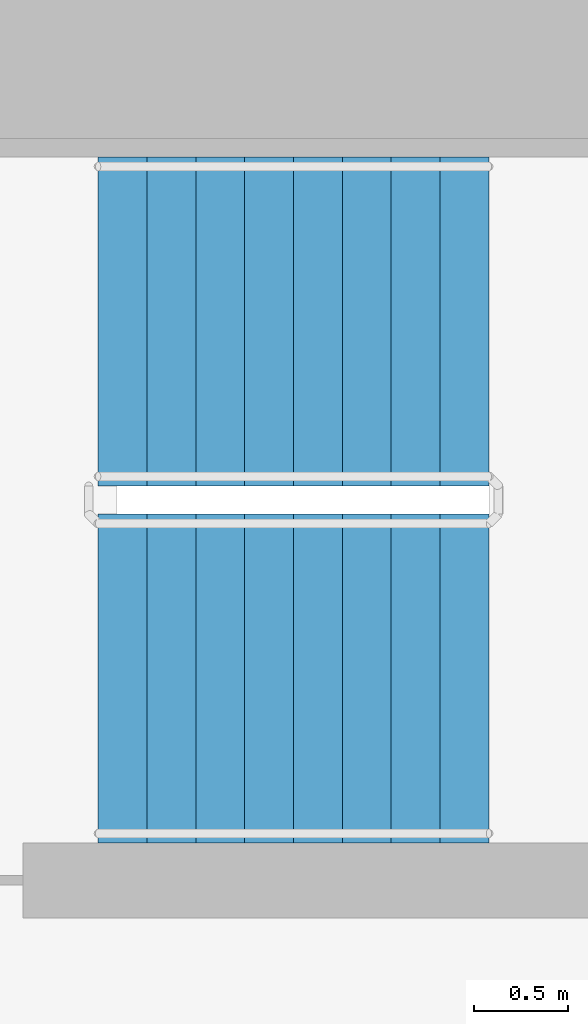
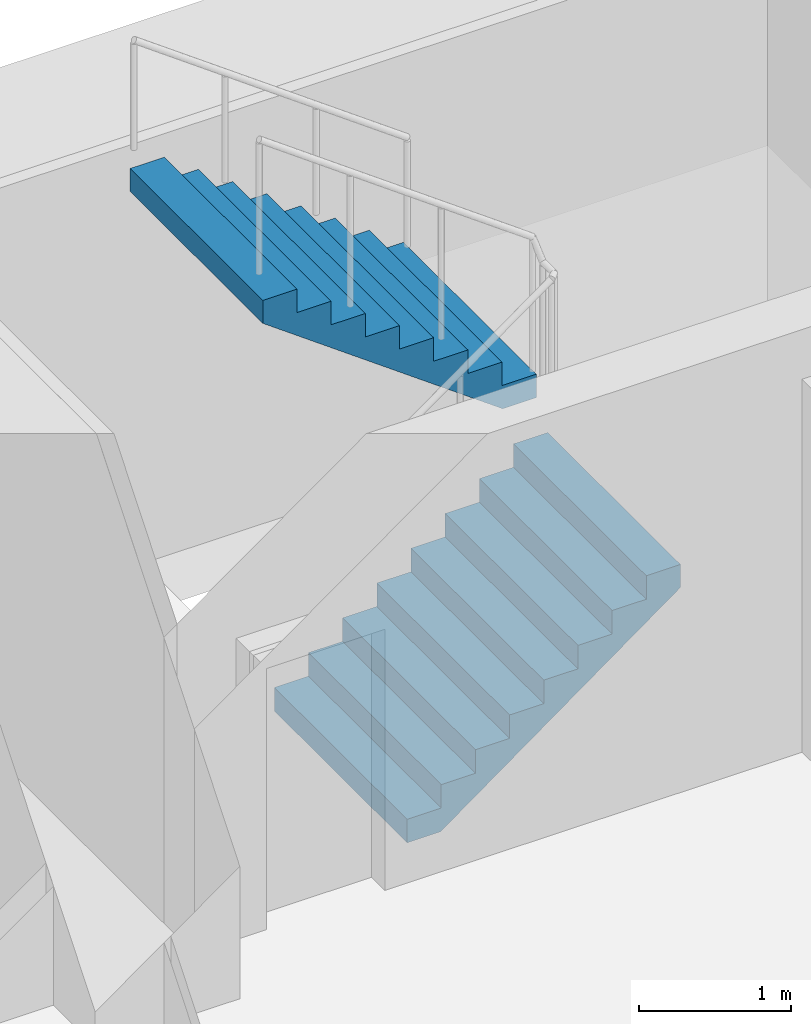
# One storey, part 18 of 22: 2 stair flights, 1 element without a shape of its own.
"""IFC4 building model written with IfcOpenShell, lengths in metres."""

from ifc_helpers import new_model, si_unit, direction, frame, origin, place, context, subcontext, project, spatial, faceted_brep, material, type_object, element, aggregate, save


model = new_model("IFC4")

# Units and contexts
model_context = context("Model", 3, precision=1e-05, world=origin(), true_north=direction((0.0, 1.0)))
body_context = subcontext(model_context, "Body", "Model", "MODEL_VIEW")
ifc_project = project(units=[si_unit("LENGTHUNIT", "METRE"), si_unit("AREAUNIT", "SQUARE_METRE"), si_unit("VOLUMEUNIT", "CUBIC_METRE"), si_unit("PLANEANGLEUNIT", "RADIAN"), si_unit("MASSUNIT", "GRAM", prefix="KILO")], contexts=[model_context])

# Site, building, storey
site_placement = place(None, origin())
site = spatial("IfcSite", under=ifc_project, at=site_placement, CompositionType="ELEMENT")
building_placement = place(site_placement, origin())
building = spatial("IfcBuilding", under=site, at=building_placement, Name="Ipe Terrace Towers", CompositionType="ELEMENT")
storey_placement = place(building_placement, frame((0.0, 0.0, 55.10009765625)))
storey = spatial("IfcBuildingStorey", under=building, at=storey_placement, Name="L14", CompositionType="ELEMENT", Elevation=55.10009765625)

# Stair, stair flights
ifc_material_1 = material(Name="Concrete C30/37", Category="concrete")
stair_type = type_object("IfcStairType", Name="Protected exit stair", PredefinedType="HALF_TURN_STAIR", material=ifc_material_1)
stair_placement = place(storey_placement, origin())
stair = element("IfcStair", 1, at=stair_placement, inside=storey, type_object=stair_type, Name="L14 Exit stair T1-C1", PredefinedType="HALF_TURN_STAIR")
ifc_material_2 = material(Name="Concrete C30/37", Category="concrete")
stair_flight_type = type_object("IfcStairFlightType", Name="Exit stair flight 1750", PredefinedType="STRAIGHT", material=ifc_material_2)
stair_flight_1_placement = place(storey_placement, frame((-26.300048828125, 2.77490234375, 0.0), z_axis=(0.0, 0.0, 1.0), x_axis=(1.0, 0.0, 0.0)))
stair_flight_1 = element("IfcStairFlight", 2, at=stair_flight_1_placement, type_object=stair_flight_type, Name="T1-ST1 flight 1", NumberOfRisers=9, NumberOfTreads=8, PredefinedType="STRAIGHT", RiserHeight=0.188888889, TreadLength=0.26, context=body_context, shape_type="Brep", body=[
    faceted_brep([(0.255126953125, -0.875, 0.0), (2.080078125, -0.875, 1.325927734375), (2.080078125, -0.875, 1.51123046875), (1.820068359375, -0.875, 1.51123046875), (1.820068359375, -0.875, 1.322265625), (1.56005859375, -0.875, 1.322265625), (1.56005859375, -0.875, 1.13330078125), (1.300048828125, -0.875, 1.13330078125), (1.300048828125, -0.875, 0.9443359375), (1.0400390625, -0.875, 0.9443359375), (1.0400390625, -0.875, 0.755615234375), (0.780029296875, -0.875, 0.755615234375), (0.780029296875, -0.875, 0.566650390625), (0.52001953125, -0.875, 0.566650390625), (0.52001953125, -0.875, 0.377685546875), (0.260009765625, -0.875, 0.377685546875), (0.260009765625, -0.875, 0.18896484375), (0.0, -0.875, 0.18896484375), (0.0, -0.875, 0.0), (0.0, 0.875, 0.0), (0.0, 0.875, 0.18896484375), (0.260009765625, 0.875, 0.18896484375), (0.260009765625, 0.875, 0.377685546875), (0.52001953125, 0.875, 0.377685546875), (0.52001953125, 0.875, 0.566650390625), (0.780029296875, 0.875, 0.566650390625), (0.780029296875, 0.875, 0.755615234375), (1.0400390625, 0.875, 0.755615234375), (1.0400390625, 0.875, 0.9443359375), (1.300048828125, 0.875, 0.9443359375), (1.300048828125, 0.875, 1.13330078125), (1.56005859375, 0.875, 1.13330078125), (1.56005859375, 0.875, 1.322265625), (1.820068359375, 0.875, 1.322265625), (1.820068359375, 0.875, 1.51123046875), (2.080078125, 0.875, 1.51123046875), (2.080078125, 0.875, 1.325927734375), (0.255126953125, 0.875, 0.0), (0.0, -0.300048828125, 0.18896484375), (0.0, -0.1201171875, 0.18896484375), (0.0, -0.06005859375, 0.18896484375), (0.0, -0.030029296875, 0.18896484375), (0.0, -0.010009765625, 0.18896484375), (0.0, 0.0, 0.18896484375), (0.0, 0.010009765625, 0.18896484375), (0.0, 0.030029296875, 0.18896484375), (0.0, 0.06005859375, 0.18896484375), (0.0, 0.1201171875, 0.18896484375), (0.0, 0.300048828125, 0.18896484375), (0.0, 0.300048828125, 0.0), (0.0, 0.1201171875, 0.0), (0.0, 0.06005859375, 0.0), (0.0, 0.030029296875, 0.0), (0.0, 0.010009765625, 0.0), (0.0, 0.0, 0.0), (0.0, -0.010009765625, 0.0), (0.0, -0.030029296875, 0.0), (0.0, -0.06005859375, 0.0), (0.0, -0.1201171875, 0.0), (0.0, -0.300048828125, 0.0), (0.260009765625, -0.300048828125, 0.18896484375), (0.260009765625, -0.1201171875, 0.18896484375), (0.260009765625, -0.06005859375, 0.18896484375), (0.260009765625, -0.030029296875, 0.18896484375), (0.260009765625, -0.010009765625, 0.18896484375), (0.260009765625, 0.0, 0.18896484375), (0.260009765625, 0.010009765625, 0.18896484375), (0.260009765625, 0.030029296875, 0.18896484375), (0.260009765625, 0.06005859375, 0.18896484375), (0.260009765625, 0.1201171875, 0.18896484375), (0.260009765625, 0.300048828125, 0.18896484375), (0.260009765625, -0.300048828125, 0.377685546875), (0.260009765625, -0.1201171875, 0.377685546875), (0.260009765625, -0.06005859375, 0.377685546875), (0.260009765625, -0.030029296875, 0.377685546875), (0.260009765625, -0.010009765625, 0.377685546875), (0.260009765625, 0.0, 0.377685546875), (0.260009765625, 0.010009765625, 0.377685546875), (0.260009765625, 0.030029296875, 0.377685546875), (0.260009765625, 0.06005859375, 0.377685546875), (0.260009765625, 0.1201171875, 0.377685546875), (0.260009765625, 0.300048828125, 0.377685546875), (0.52001953125, -0.300048828125, 0.377685546875), (0.52001953125, -0.1201171875, 0.377685546875), (0.52001953125, -0.06005859375, 0.377685546875), (0.52001953125, -0.030029296875, 0.377685546875), (0.52001953125, -0.010009765625, 0.377685546875), (0.52001953125, 0.0, 0.377685546875), (0.52001953125, 0.010009765625, 0.377685546875), (0.52001953125, 0.030029296875, 0.377685546875), (0.52001953125, 0.06005859375, 0.377685546875), (0.52001953125, 0.1201171875, 0.377685546875), (0.52001953125, 0.300048828125, 0.377685546875), (0.52001953125, -0.300048828125, 0.566650390625), (0.52001953125, -0.1201171875, 0.566650390625), (0.52001953125, -0.06005859375, 0.566650390625), (0.52001953125, -0.030029296875, 0.566650390625), (0.52001953125, -0.010009765625, 0.566650390625), (0.52001953125, 0.0, 0.566650390625), (0.52001953125, 0.010009765625, 0.566650390625), (0.52001953125, 0.030029296875, 0.566650390625), (0.52001953125, 0.06005859375, 0.566650390625), (0.52001953125, 0.1201171875, 0.566650390625), (0.52001953125, 0.300048828125, 0.566650390625), (0.780029296875, -0.300048828125, 0.566650390625), (0.780029296875, -0.1201171875, 0.566650390625), (0.780029296875, -0.06005859375, 0.566650390625), (0.780029296875, -0.030029296875, 0.566650390625), (0.780029296875, -0.010009765625, 0.566650390625), (0.780029296875, 0.0, 0.566650390625), (0.780029296875, 0.010009765625, 0.566650390625), (0.780029296875, 0.030029296875, 0.566650390625), (0.780029296875, 0.06005859375, 0.566650390625), (0.780029296875, 0.1201171875, 0.566650390625), (0.780029296875, 0.300048828125, 0.566650390625), (0.780029296875, -0.300048828125, 0.755615234375), (0.780029296875, -0.1201171875, 0.755615234375), (0.780029296875, -0.06005859375, 0.755615234375), (0.780029296875, -0.030029296875, 0.755615234375), (0.780029296875, -0.010009765625, 0.755615234375), (0.780029296875, 0.0, 0.755615234375), (0.780029296875, 0.010009765625, 0.755615234375), (0.780029296875, 0.030029296875, 0.755615234375), (0.780029296875, 0.06005859375, 0.755615234375), (0.780029296875, 0.1201171875, 0.755615234375), (0.780029296875, 0.300048828125, 0.755615234375), (1.0400390625, -0.300048828125, 0.755615234375), (1.0400390625, -0.1201171875, 0.755615234375), (1.0400390625, -0.06005859375, 0.755615234375), (1.0400390625, -0.030029296875, 0.755615234375), (1.0400390625, -0.010009765625, 0.755615234375), (1.0400390625, 0.0, 0.755615234375), (1.0400390625, 0.010009765625, 0.755615234375), (1.0400390625, 0.030029296875, 0.755615234375), (1.0400390625, 0.06005859375, 0.755615234375), (1.0400390625, 0.1201171875, 0.755615234375), (1.0400390625, 0.300048828125, 0.755615234375), (1.0400390625, -0.300048828125, 0.9443359375), (1.0400390625, -0.1201171875, 0.9443359375), (1.0400390625, -0.06005859375, 0.9443359375), (1.0400390625, -0.030029296875, 0.9443359375), (1.0400390625, -0.010009765625, 0.9443359375), (1.0400390625, 0.0, 0.9443359375), (1.0400390625, 0.010009765625, 0.9443359375), (1.0400390625, 0.030029296875, 0.9443359375), (1.0400390625, 0.06005859375, 0.9443359375), (1.0400390625, 0.1201171875, 0.9443359375), (1.0400390625, 0.300048828125, 0.9443359375), (1.300048828125, -0.300048828125, 0.9443359375), (1.300048828125, -0.1201171875, 0.9443359375), (1.300048828125, -0.06005859375, 0.9443359375), (1.300048828125, -0.030029296875, 0.9443359375), (1.300048828125, -0.010009765625, 0.9443359375), (1.300048828125, 0.0, 0.9443359375), (1.300048828125, 0.010009765625, 0.9443359375), (1.300048828125, 0.030029296875, 0.9443359375), (1.300048828125, 0.06005859375, 0.9443359375), (1.300048828125, 0.1201171875, 0.9443359375), (1.300048828125, 0.300048828125, 0.9443359375), (1.300048828125, -0.300048828125, 1.13330078125), (1.300048828125, -0.1201171875, 1.13330078125), (1.300048828125, -0.06005859375, 1.13330078125), (1.300048828125, -0.030029296875, 1.13330078125), (1.300048828125, -0.010009765625, 1.13330078125), (1.300048828125, 0.0, 1.13330078125), (1.300048828125, 0.010009765625, 1.13330078125), (1.300048828125, 0.030029296875, 1.13330078125), (1.300048828125, 0.06005859375, 1.13330078125), (1.300048828125, 0.1201171875, 1.13330078125), (1.300048828125, 0.300048828125, 1.13330078125), (1.56005859375, -0.300048828125, 1.13330078125), (1.56005859375, -0.1201171875, 1.13330078125), (1.56005859375, -0.06005859375, 1.13330078125), (1.56005859375, -0.030029296875, 1.13330078125), (1.56005859375, -0.010009765625, 1.13330078125), (1.56005859375, 0.0, 1.13330078125), (1.56005859375, 0.010009765625, 1.13330078125), (1.56005859375, 0.030029296875, 1.13330078125), (1.56005859375, 0.06005859375, 1.13330078125), (1.56005859375, 0.1201171875, 1.13330078125), (1.56005859375, 0.300048828125, 1.13330078125), (1.56005859375, -0.300048828125, 1.322265625), (1.56005859375, -0.1201171875, 1.322265625), (1.56005859375, -0.06005859375, 1.322265625), (1.56005859375, -0.030029296875, 1.322265625), (1.56005859375, -0.010009765625, 1.322265625), (1.56005859375, 0.0, 1.322265625), (1.56005859375, 0.010009765625, 1.322265625), (1.56005859375, 0.030029296875, 1.322265625), (1.56005859375, 0.06005859375, 1.322265625), (1.56005859375, 0.1201171875, 1.322265625), (1.56005859375, 0.300048828125, 1.322265625), (1.820068359375, -0.300048828125, 1.322265625), (1.820068359375, -0.1201171875, 1.322265625), (1.820068359375, -0.06005859375, 1.322265625), (1.820068359375, -0.030029296875, 1.322265625), (1.820068359375, -0.010009765625, 1.322265625), (1.820068359375, 0.0, 1.322265625), (1.820068359375, 0.010009765625, 1.322265625), (1.820068359375, 0.030029296875, 1.322265625), (1.820068359375, 0.06005859375, 1.322265625), (1.820068359375, 0.1201171875, 1.322265625), (1.820068359375, 0.300048828125, 1.322265625), (1.820068359375, -0.300048828125, 1.51123046875), (1.820068359375, -0.1201171875, 1.51123046875), (1.820068359375, -0.06005859375, 1.51123046875), (1.820068359375, -0.030029296875, 1.51123046875), (1.820068359375, -0.010009765625, 1.51123046875), (1.820068359375, 0.0, 1.51123046875), (1.820068359375, 0.010009765625, 1.51123046875), (1.820068359375, 0.030029296875, 1.51123046875), (1.820068359375, 0.06005859375, 1.51123046875), (1.820068359375, 0.1201171875, 1.51123046875), (1.820068359375, 0.300048828125, 1.51123046875), (2.080078125, -0.300048828125, 1.51123046875), (2.080078125, -0.1201171875, 1.51123046875), (2.080078125, -0.06005859375, 1.51123046875), (2.080078125, -0.030029296875, 1.51123046875), (2.080078125, -0.010009765625, 1.51123046875), (2.080078125, 0.0, 1.51123046875), (2.080078125, 0.010009765625, 1.51123046875), (2.080078125, 0.030029296875, 1.51123046875), (2.080078125, 0.06005859375, 1.51123046875), (2.080078125, 0.1201171875, 1.51123046875), (2.080078125, 0.300048828125, 1.51123046875), (2.080078125, -0.300048828125, 1.325927734375), (2.080078125, -0.1201171875, 1.325927734375), (2.080078125, -0.06005859375, 1.325927734375), (2.080078125, -0.030029296875, 1.325927734375), (2.080078125, -0.010009765625, 1.325927734375), (2.080078125, 0.0, 1.325927734375), (2.080078125, 0.010009765625, 1.325927734375), (2.080078125, 0.030029296875, 1.325927734375), (2.080078125, 0.06005859375, 1.325927734375), (2.080078125, 0.1201171875, 1.325927734375), (2.080078125, 0.300048828125, 1.325927734375), (0.255126953125, -0.300048828125, 0.0), (0.255126953125, -0.1201171875, 0.0), (0.255126953125, -0.06005859375, 0.0), (0.255126953125, -0.030029296875, 0.0), (0.255126953125, -0.010009765625, 0.0), (0.255126953125, 0.0, 0.0), (0.255126953125, 0.010009765625, 0.0), (0.255126953125, 0.030029296875, 0.0), (0.255126953125, 0.06005859375, 0.0), (0.255126953125, 0.1201171875, 0.0), (0.255126953125, 0.300048828125, 0.0)], [[[0, 1, 2, 3, 4, 5, 6, 7, 8, 9, 10, 11, 12, 13, 14, 15, 16, 17, 18]], [[19, 20, 21, 22, 23, 24, 25, 26, 27, 28, 29, 30, 31, 32, 33, 34, 35, 36, 37]], [[17, 38, 39, 40, 41, 42, 43, 44, 45, 46, 47, 48, 20, 19, 49, 50, 51, 52, 53, 54, 55, 56, 57, 58, 59, 18]], [[16, 60, 61, 62, 63, 64, 65, 66, 67, 68, 69, 70, 21, 20, 48, 47, 46, 45, 44, 43, 42, 41, 40, 39, 38, 17]], [[15, 71, 72, 73, 74, 75, 76, 77, 78, 79, 80, 81, 22, 21, 70, 69, 68, 67, 66, 65, 64, 63, 62, 61, 60, 16]], [[14, 82, 83, 84, 85, 86, 87, 88, 89, 90, 91, 92, 23, 22, 81, 80, 79, 78, 77, 76, 75, 74, 73, 72, 71, 15]], [[13, 93, 94, 95, 96, 97, 98, 99, 100, 101, 102, 103, 24, 23, 92, 91, 90, 89, 88, 87, 86, 85, 84, 83, 82, 14]], [[12, 104, 105, 106, 107, 108, 109, 110, 111, 112, 113, 114, 25, 24, 103, 102, 101, 100, 99, 98, 97, 96, 95, 94, 93, 13]], [[11, 115, 116, 117, 118, 119, 120, 121, 122, 123, 124, 125, 26, 25, 114, 113, 112, 111, 110, 109, 108, 107, 106, 105, 104, 12]], [[10, 126, 127, 128, 129, 130, 131, 132, 133, 134, 135, 136, 27, 26, 125, 124, 123, 122, 121, 120, 119, 118, 117, 116, 115, 11]], [[9, 137, 138, 139, 140, 141, 142, 143, 144, 145, 146, 147, 28, 27, 136, 135, 134, 133, 132, 131, 130, 129, 128, 127, 126, 10]], [[8, 148, 149, 150, 151, 152, 153, 154, 155, 156, 157, 158, 29, 28, 147, 146, 145, 144, 143, 142, 141, 140, 139, 138, 137, 9]], [[7, 159, 160, 161, 162, 163, 164, 165, 166, 167, 168, 169, 30, 29, 158, 157, 156, 155, 154, 153, 152, 151, 150, 149, 148, 8]], [[6, 170, 171, 172, 173, 174, 175, 176, 177, 178, 179, 180, 31, 30, 169, 168, 167, 166, 165, 164, 163, 162, 161, 160, 159, 7]], [[5, 181, 182, 183, 184, 185, 186, 187, 188, 189, 190, 191, 32, 31, 180, 179, 178, 177, 176, 175, 174, 173, 172, 171, 170, 6]], [[4, 192, 193, 194, 195, 196, 197, 198, 199, 200, 201, 202, 33, 32, 191, 190, 189, 188, 187, 186, 185, 184, 183, 182, 181, 5]], [[3, 203, 204, 205, 206, 207, 208, 209, 210, 211, 212, 213, 34, 33, 202, 201, 200, 199, 198, 197, 196, 195, 194, 193, 192, 4]], [[2, 214, 215, 216, 217, 218, 219, 220, 221, 222, 223, 224, 35, 34, 213, 212, 211, 210, 209, 208, 207, 206, 205, 204, 203, 3]], [[1, 225, 226, 227, 228, 229, 230, 231, 232, 233, 234, 235, 36, 35, 224, 223, 222, 221, 220, 219, 218, 217, 216, 215, 214, 2]], [[0, 236, 237, 238, 239, 240, 241, 242, 243, 244, 245, 246, 37, 36, 235, 234, 233, 232, 231, 230, 229, 228, 227, 226, 225, 1]], [[18, 59, 58, 57, 56, 55, 54, 53, 52, 51, 50, 49, 19, 37, 246, 245, 244, 243, 242, 241, 240, 239, 238, 237, 236, 0]]]),
])
stair_flight_2_placement = place(storey_placement, frame((-24.219970703125, 4.675048828125, 1.699951171875), z_axis=(0.0, 0.0, 1.0), x_axis=(-1.0, 0.0, 0.0)))
stair_flight_2 = element("IfcStairFlight", 3, at=stair_flight_2_placement, type_object=stair_flight_type, Name="T1-ST1 flight 2", NumberOfRisers=9, NumberOfTreads=8, PredefinedType="STRAIGHT", RiserHeight=0.188888889, TreadLength=0.26, context=body_context, shape_type="Brep", body=[
    faceted_brep([(0.255126953125, -0.875, 0.0), (2.080078125, -0.875, 1.325927734375), (2.080078125, -0.875, 1.51123046875), (1.820068359375, -0.875, 1.51123046875), (1.820068359375, -0.875, 1.322265625), (1.56005859375, -0.875, 1.322265625), (1.56005859375, -0.875, 1.13330078125), (1.300048828125, -0.875, 1.13330078125), (1.300048828125, -0.875, 0.9443359375), (1.0400390625, -0.875, 0.9443359375), (1.0400390625, -0.875, 0.755615234375), (0.780029296875, -0.875, 0.755615234375), (0.780029296875, -0.875, 0.566650390625), (0.52001953125, -0.875, 0.566650390625), (0.52001953125, -0.875, 0.377685546875), (0.260009765625, -0.875, 0.377685546875), (0.260009765625, -0.875, 0.18896484375), (0.0, -0.875, 0.18896484375), (0.0, -0.875, 0.0), (0.0, 0.875, 0.0), (0.0, 0.875, 0.18896484375), (0.260009765625, 0.875, 0.18896484375), (0.260009765625, 0.875, 0.377685546875), (0.52001953125, 0.875, 0.377685546875), (0.52001953125, 0.875, 0.566650390625), (0.780029296875, 0.875, 0.566650390625), (0.780029296875, 0.875, 0.755615234375), (1.0400390625, 0.875, 0.755615234375), (1.0400390625, 0.875, 0.9443359375), (1.300048828125, 0.875, 0.9443359375), (1.300048828125, 0.875, 1.13330078125), (1.56005859375, 0.875, 1.13330078125), (1.56005859375, 0.875, 1.322265625), (1.820068359375, 0.875, 1.322265625), (1.820068359375, 0.875, 1.51123046875), (2.080078125, 0.875, 1.51123046875), (2.080078125, 0.875, 1.325927734375), (0.255126953125, 0.875, 0.0), (0.0, -0.300048828125, 0.18896484375), (0.0, -0.1201171875, 0.18896484375), (0.0, -0.06005859375, 0.18896484375), (0.0, -0.030029296875, 0.18896484375), (0.0, -0.010009765625, 0.18896484375), (0.0, 0.0, 0.18896484375), (0.0, 0.010009765625, 0.18896484375), (0.0, 0.030029296875, 0.18896484375), (0.0, 0.06005859375, 0.18896484375), (0.0, 0.1201171875, 0.18896484375), (0.0, 0.300048828125, 0.18896484375), (0.0, 0.300048828125, 0.0), (0.0, 0.1201171875, 0.0), (0.0, 0.06005859375, 0.0), (0.0, 0.030029296875, 0.0), (0.0, 0.010009765625, 0.0), (0.0, 0.0, 0.0), (0.0, -0.010009765625, 0.0), (0.0, -0.030029296875, 0.0), (0.0, -0.06005859375, 0.0), (0.0, -0.1201171875, 0.0), (0.0, -0.300048828125, 0.0), (0.260009765625, -0.300048828125, 0.18896484375), (0.260009765625, -0.1201171875, 0.18896484375), (0.260009765625, -0.06005859375, 0.18896484375), (0.260009765625, -0.030029296875, 0.18896484375), (0.260009765625, -0.010009765625, 0.18896484375), (0.260009765625, 0.0, 0.18896484375), (0.260009765625, 0.010009765625, 0.18896484375), (0.260009765625, 0.030029296875, 0.18896484375), (0.260009765625, 0.06005859375, 0.18896484375), (0.260009765625, 0.1201171875, 0.18896484375), (0.260009765625, 0.300048828125, 0.18896484375), (0.260009765625, -0.300048828125, 0.377685546875), (0.260009765625, -0.1201171875, 0.377685546875), (0.260009765625, -0.06005859375, 0.377685546875), (0.260009765625, -0.030029296875, 0.377685546875), (0.260009765625, -0.010009765625, 0.377685546875), (0.260009765625, 0.0, 0.377685546875), (0.260009765625, 0.010009765625, 0.377685546875), (0.260009765625, 0.030029296875, 0.377685546875), (0.260009765625, 0.06005859375, 0.377685546875), (0.260009765625, 0.1201171875, 0.377685546875), (0.260009765625, 0.300048828125, 0.377685546875), (0.52001953125, -0.300048828125, 0.377685546875), (0.52001953125, -0.1201171875, 0.377685546875), (0.52001953125, -0.06005859375, 0.377685546875), (0.52001953125, -0.030029296875, 0.377685546875), (0.52001953125, -0.010009765625, 0.377685546875), (0.52001953125, 0.0, 0.377685546875), (0.52001953125, 0.010009765625, 0.377685546875), (0.52001953125, 0.030029296875, 0.377685546875), (0.52001953125, 0.06005859375, 0.377685546875), (0.52001953125, 0.1201171875, 0.377685546875), (0.52001953125, 0.300048828125, 0.377685546875), (0.52001953125, -0.300048828125, 0.566650390625), (0.52001953125, -0.1201171875, 0.566650390625), (0.52001953125, -0.06005859375, 0.566650390625), (0.52001953125, -0.030029296875, 0.566650390625), (0.52001953125, -0.010009765625, 0.566650390625), (0.52001953125, 0.0, 0.566650390625), (0.52001953125, 0.010009765625, 0.566650390625), (0.52001953125, 0.030029296875, 0.566650390625), (0.52001953125, 0.06005859375, 0.566650390625), (0.52001953125, 0.1201171875, 0.566650390625), (0.52001953125, 0.300048828125, 0.566650390625), (0.780029296875, -0.300048828125, 0.566650390625), (0.780029296875, -0.1201171875, 0.566650390625), (0.780029296875, -0.06005859375, 0.566650390625), (0.780029296875, -0.030029296875, 0.566650390625), (0.780029296875, -0.010009765625, 0.566650390625), (0.780029296875, 0.0, 0.566650390625), (0.780029296875, 0.010009765625, 0.566650390625), (0.780029296875, 0.030029296875, 0.566650390625), (0.780029296875, 0.06005859375, 0.566650390625), (0.780029296875, 0.1201171875, 0.566650390625), (0.780029296875, 0.300048828125, 0.566650390625), (0.780029296875, -0.300048828125, 0.755615234375), (0.780029296875, -0.1201171875, 0.755615234375), (0.780029296875, -0.06005859375, 0.755615234375), (0.780029296875, -0.030029296875, 0.755615234375), (0.780029296875, -0.010009765625, 0.755615234375), (0.780029296875, 0.0, 0.755615234375), (0.780029296875, 0.010009765625, 0.755615234375), (0.780029296875, 0.030029296875, 0.755615234375), (0.780029296875, 0.06005859375, 0.755615234375), (0.780029296875, 0.1201171875, 0.755615234375), (0.780029296875, 0.300048828125, 0.755615234375), (1.0400390625, -0.300048828125, 0.755615234375), (1.0400390625, -0.1201171875, 0.755615234375), (1.0400390625, -0.06005859375, 0.755615234375), (1.0400390625, -0.030029296875, 0.755615234375), (1.0400390625, -0.010009765625, 0.755615234375), (1.0400390625, 0.0, 0.755615234375), (1.0400390625, 0.010009765625, 0.755615234375), (1.0400390625, 0.030029296875, 0.755615234375), (1.0400390625, 0.06005859375, 0.755615234375), (1.0400390625, 0.1201171875, 0.755615234375), (1.0400390625, 0.300048828125, 0.755615234375), (1.0400390625, -0.300048828125, 0.9443359375), (1.0400390625, -0.1201171875, 0.9443359375), (1.0400390625, -0.06005859375, 0.9443359375), (1.0400390625, -0.030029296875, 0.9443359375), (1.0400390625, -0.010009765625, 0.9443359375), (1.0400390625, 0.0, 0.9443359375), (1.0400390625, 0.010009765625, 0.9443359375), (1.0400390625, 0.030029296875, 0.9443359375), (1.0400390625, 0.06005859375, 0.9443359375), (1.0400390625, 0.1201171875, 0.9443359375), (1.0400390625, 0.300048828125, 0.9443359375), (1.300048828125, -0.300048828125, 0.9443359375), (1.300048828125, -0.1201171875, 0.9443359375), (1.300048828125, -0.06005859375, 0.9443359375), (1.300048828125, -0.030029296875, 0.9443359375), (1.300048828125, -0.010009765625, 0.9443359375), (1.300048828125, 0.0, 0.9443359375), (1.300048828125, 0.010009765625, 0.9443359375), (1.300048828125, 0.030029296875, 0.9443359375), (1.300048828125, 0.06005859375, 0.9443359375), (1.300048828125, 0.1201171875, 0.9443359375), (1.300048828125, 0.300048828125, 0.9443359375), (1.300048828125, -0.300048828125, 1.13330078125), (1.300048828125, -0.1201171875, 1.13330078125), (1.300048828125, -0.06005859375, 1.13330078125), (1.300048828125, -0.030029296875, 1.13330078125), (1.300048828125, -0.010009765625, 1.13330078125), (1.300048828125, 0.0, 1.13330078125), (1.300048828125, 0.010009765625, 1.13330078125), (1.300048828125, 0.030029296875, 1.13330078125), (1.300048828125, 0.06005859375, 1.13330078125), (1.300048828125, 0.1201171875, 1.13330078125), (1.300048828125, 0.300048828125, 1.13330078125), (1.56005859375, -0.300048828125, 1.13330078125), (1.56005859375, -0.1201171875, 1.13330078125), (1.56005859375, -0.06005859375, 1.13330078125), (1.56005859375, -0.030029296875, 1.13330078125), (1.56005859375, -0.010009765625, 1.13330078125), (1.56005859375, 0.0, 1.13330078125), (1.56005859375, 0.010009765625, 1.13330078125), (1.56005859375, 0.030029296875, 1.13330078125), (1.56005859375, 0.06005859375, 1.13330078125), (1.56005859375, 0.1201171875, 1.13330078125), (1.56005859375, 0.300048828125, 1.13330078125), (1.56005859375, -0.300048828125, 1.322265625), (1.56005859375, -0.1201171875, 1.322265625), (1.56005859375, -0.06005859375, 1.322265625), (1.56005859375, -0.030029296875, 1.322265625), (1.56005859375, -0.010009765625, 1.322265625), (1.56005859375, 0.0, 1.322265625), (1.56005859375, 0.010009765625, 1.322265625), (1.56005859375, 0.030029296875, 1.322265625), (1.56005859375, 0.06005859375, 1.322265625), (1.56005859375, 0.1201171875, 1.322265625), (1.56005859375, 0.300048828125, 1.322265625), (1.820068359375, -0.300048828125, 1.322265625), (1.820068359375, -0.1201171875, 1.322265625), (1.820068359375, -0.06005859375, 1.322265625), (1.820068359375, -0.030029296875, 1.322265625), (1.820068359375, -0.010009765625, 1.322265625), (1.820068359375, 0.0, 1.322265625), (1.820068359375, 0.010009765625, 1.322265625), (1.820068359375, 0.030029296875, 1.322265625), (1.820068359375, 0.06005859375, 1.322265625), (1.820068359375, 0.1201171875, 1.322265625), (1.820068359375, 0.300048828125, 1.322265625), (1.820068359375, -0.300048828125, 1.51123046875), (1.820068359375, -0.1201171875, 1.51123046875), (1.820068359375, -0.06005859375, 1.51123046875), (1.820068359375, -0.030029296875, 1.51123046875), (1.820068359375, -0.010009765625, 1.51123046875), (1.820068359375, 0.0, 1.51123046875), (1.820068359375, 0.010009765625, 1.51123046875), (1.820068359375, 0.030029296875, 1.51123046875), (1.820068359375, 0.06005859375, 1.51123046875), (1.820068359375, 0.1201171875, 1.51123046875), (1.820068359375, 0.300048828125, 1.51123046875), (2.080078125, -0.300048828125, 1.51123046875), (2.080078125, -0.1201171875, 1.51123046875), (2.080078125, -0.06005859375, 1.51123046875), (2.080078125, -0.030029296875, 1.51123046875), (2.080078125, -0.010009765625, 1.51123046875), (2.080078125, 0.0, 1.51123046875), (2.080078125, 0.010009765625, 1.51123046875), (2.080078125, 0.030029296875, 1.51123046875), (2.080078125, 0.06005859375, 1.51123046875), (2.080078125, 0.1201171875, 1.51123046875), (2.080078125, 0.300048828125, 1.51123046875), (2.080078125, -0.300048828125, 1.325927734375), (2.080078125, -0.1201171875, 1.325927734375), (2.080078125, -0.06005859375, 1.325927734375), (2.080078125, -0.030029296875, 1.325927734375), (2.080078125, -0.010009765625, 1.325927734375), (2.080078125, 0.0, 1.325927734375), (2.080078125, 0.010009765625, 1.325927734375), (2.080078125, 0.030029296875, 1.325927734375), (2.080078125, 0.06005859375, 1.325927734375), (2.080078125, 0.1201171875, 1.325927734375), (2.080078125, 0.300048828125, 1.325927734375), (0.255126953125, -0.300048828125, 0.0), (0.255126953125, -0.1201171875, 0.0), (0.255126953125, -0.06005859375, 0.0), (0.255126953125, -0.030029296875, 0.0), (0.255126953125, -0.010009765625, 0.0), (0.255126953125, 0.0, 0.0), (0.255126953125, 0.010009765625, 0.0), (0.255126953125, 0.030029296875, 0.0), (0.255126953125, 0.06005859375, 0.0), (0.255126953125, 0.1201171875, 0.0), (0.255126953125, 0.300048828125, 0.0)], [[[0, 1, 2, 3, 4, 5, 6, 7, 8, 9, 10, 11, 12, 13, 14, 15, 16, 17, 18]], [[19, 20, 21, 22, 23, 24, 25, 26, 27, 28, 29, 30, 31, 32, 33, 34, 35, 36, 37]], [[17, 38, 39, 40, 41, 42, 43, 44, 45, 46, 47, 48, 20, 19, 49, 50, 51, 52, 53, 54, 55, 56, 57, 58, 59, 18]], [[16, 60, 61, 62, 63, 64, 65, 66, 67, 68, 69, 70, 21, 20, 48, 47, 46, 45, 44, 43, 42, 41, 40, 39, 38, 17]], [[15, 71, 72, 73, 74, 75, 76, 77, 78, 79, 80, 81, 22, 21, 70, 69, 68, 67, 66, 65, 64, 63, 62, 61, 60, 16]], [[14, 82, 83, 84, 85, 86, 87, 88, 89, 90, 91, 92, 23, 22, 81, 80, 79, 78, 77, 76, 75, 74, 73, 72, 71, 15]], [[13, 93, 94, 95, 96, 97, 98, 99, 100, 101, 102, 103, 24, 23, 92, 91, 90, 89, 88, 87, 86, 85, 84, 83, 82, 14]], [[12, 104, 105, 106, 107, 108, 109, 110, 111, 112, 113, 114, 25, 24, 103, 102, 101, 100, 99, 98, 97, 96, 95, 94, 93, 13]], [[11, 115, 116, 117, 118, 119, 120, 121, 122, 123, 124, 125, 26, 25, 114, 113, 112, 111, 110, 109, 108, 107, 106, 105, 104, 12]], [[10, 126, 127, 128, 129, 130, 131, 132, 133, 134, 135, 136, 27, 26, 125, 124, 123, 122, 121, 120, 119, 118, 117, 116, 115, 11]], [[9, 137, 138, 139, 140, 141, 142, 143, 144, 145, 146, 147, 28, 27, 136, 135, 134, 133, 132, 131, 130, 129, 128, 127, 126, 10]], [[8, 148, 149, 150, 151, 152, 153, 154, 155, 156, 157, 158, 29, 28, 147, 146, 145, 144, 143, 142, 141, 140, 139, 138, 137, 9]], [[7, 159, 160, 161, 162, 163, 164, 165, 166, 167, 168, 169, 30, 29, 158, 157, 156, 155, 154, 153, 152, 151, 150, 149, 148, 8]], [[6, 170, 171, 172, 173, 174, 175, 176, 177, 178, 179, 180, 31, 30, 169, 168, 167, 166, 165, 164, 163, 162, 161, 160, 159, 7]], [[5, 181, 182, 183, 184, 185, 186, 187, 188, 189, 190, 191, 32, 31, 180, 179, 178, 177, 176, 175, 174, 173, 172, 171, 170, 6]], [[4, 192, 193, 194, 195, 196, 197, 198, 199, 200, 201, 202, 33, 32, 191, 190, 189, 188, 187, 186, 185, 184, 183, 182, 181, 5]], [[3, 203, 204, 205, 206, 207, 208, 209, 210, 211, 212, 213, 34, 33, 202, 201, 200, 199, 198, 197, 196, 195, 194, 193, 192, 4]], [[2, 214, 215, 216, 217, 218, 219, 220, 221, 222, 223, 224, 35, 34, 213, 212, 211, 210, 209, 208, 207, 206, 205, 204, 203, 3]], [[1, 225, 226, 227, 228, 229, 230, 231, 232, 233, 234, 235, 36, 35, 224, 223, 222, 221, 220, 219, 218, 217, 216, 215, 214, 2]], [[0, 236, 237, 238, 239, 240, 241, 242, 243, 244, 245, 246, 37, 36, 235, 234, 233, 232, 231, 230, 229, 228, 227, 226, 225, 1]], [[18, 59, 58, 57, 56, 55, 54, 53, 52, 51, 50, 49, 19, 37, 246, 245, 244, 243, 242, 241, 240, 239, 238, 237, 236, 0]]]),
])
aggregate(stair, [stair_flight_1, stair_flight_2])

save(model, "model.ifc")
